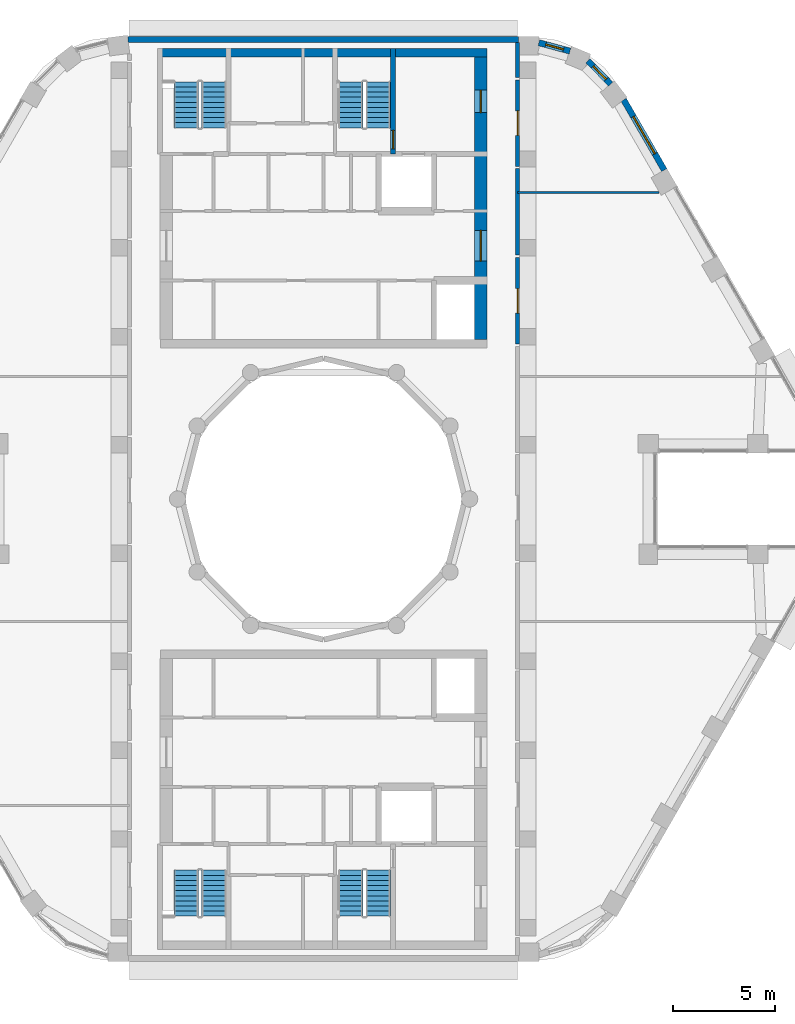
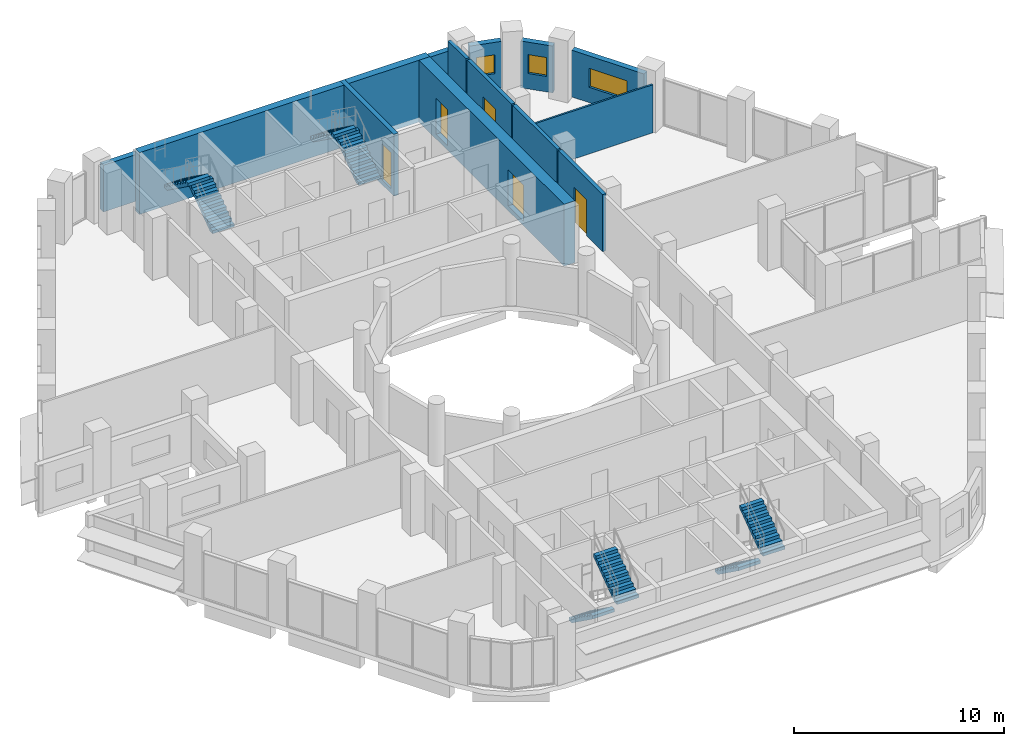
# One storey, part 13 of 16: 12 walls, 8 stair flights, 5 doors, 3 windows, 8 openings, 4 elements without a shape of their own.
"""IFC4 building model written with IfcOpenShell, lengths in metres."""

from ifc_helpers import new_model, si_unit, direction, frame, frame_2d, origin, place, context, subcontext, project, spatial, polyline, rectangle, outline, extrude, material, layer, layer_set, type_object, element, fill, aggregate, save


model = new_model("IFC4")

# Units and contexts
model_context = context("Model", 3, precision=1e-05, world=origin(), true_north=direction((0.0, 1.0)))
body_context = subcontext(model_context, "Body", "Model", "MODEL_VIEW")
ifc_project = project(units=[si_unit("LENGTHUNIT", "METRE"), si_unit("AREAUNIT", "SQUARE_METRE"), si_unit("VOLUMEUNIT", "CUBIC_METRE"), si_unit("PLANEANGLEUNIT", "RADIAN"), si_unit("MASSUNIT", "GRAM", prefix="KILO")], contexts=[model_context])

# Site, building, storey
site_placement = place(None, origin())
site = spatial("IfcSite", under=ifc_project, at=site_placement, CompositionType="ELEMENT")
building_placement = place(site_placement, origin())
building = spatial("IfcBuilding", under=site, at=building_placement, Name="Nakaniwa Court", CompositionType="ELEMENT")
storey_placement = place(building_placement, frame((0.0, 0.0, 272.39990234375)))
storey = spatial("IfcBuildingStorey", under=building, at=storey_placement, Name="C01", CompositionType="ELEMENT", Elevation=272.39990234375)

# Wall, opening, door
ifc_material_1 = material(Name="Acoustic double stud partition")
ifc_layer_1 = layer(ifc_material_1, 0.199951171875)
ifc_layer_set_1 = layer_set([ifc_layer_1], Name="Acoustic double stud partition")
wall_type_1 = type_object("IfcWallType", Name="Acoustic double stud partition 200", PredefinedType="PARTITIONING", material=ifc_layer_set_1)
wall_1_placement = place(storey_placement, frame((89.5, 91.822998046875, 0.0), z_axis=(0.0, 0.0, 1.0), x_axis=(0.0, -1.0, 0.0)))
wall_1 = element("IfcWall", 1, at=wall_1_placement, inside=storey, type_object=wall_type_1, Name="Partition PW-064", PredefinedType="PARTITIONING", context=body_context, shape_type="SweptSolid", body=[
    extrude(rectangle(XDim=4.236083984375, YDim=0.199951171875, at=frame_2d((2.1181640625, 0.0))), origin(), (0.0, 0.0, 1.0), 3.3251953125),
])
opening_1_placement = place(wall_1_placement, frame((1.51806640625, 0.0, 0.0)))
opening_1 = element("IfcOpeningElement", 2, at=opening_1_placement, cuts=wall_1, Name="Opening D-30-03", PredefinedType="OPENING", context=body_context, shape_type="SweptSolid", body=[
    extrude(rectangle(XDim=1.199951171875, YDim=2.10009765625, at=frame_2d((0.60009765625, 1.050048828125))), frame((0.0, 0.10986328125, 0.0), z_axis=(0.0, -1.0, 0.0), x_axis=(1.0, 0.0, 0.0)), (0.0, 0.0, 1.0), 0.219970703125),
])
ifc_material_2 = material(Name="Solid core timber door set, black veneer", Category="wood")
door_type_1 = type_object("IfcDoorType", Name="Internal door 1200", OperationType="NOTDEFINED", PredefinedType="DOOR", material=ifc_material_2)
door_1_placement = place(opening_1_placement, origin())
door_1 = element("IfcDoor", 3, at=door_1_placement, inside=storey, type_object=door_type_1, Name="Door D-30-03 C01-031", OperationType="SINGLE_SWING_RIGHT", OverallHeight=2.10009765625, OverallWidth=1.199951171875, PredefinedType="DOOR", context=body_context, shape_type="SweptSolid", body=[
    extrude(rectangle(XDim=1.199951171875, YDim=2.10009765625, at=frame_2d((0.60009765625, 1.050048828125))), frame((0.0, 0.02490234375, 0.0), z_axis=(0.0, -1.0, 0.0), x_axis=(1.0, 0.0, 0.0)), (0.0, 0.0, 1.0), 0.050048828125),
])
fill(opening_1, door_1)

# Wall
wall_2_placement = place(storey_placement, frame((89.5, 91.93701171875, 0.0), z_axis=(0.0, 0.0, 1.0), x_axis=(0.0, 1.0, 0.0)))
element("IfcWall", 4, at=wall_2_placement, inside=storey, type_object=wall_type_1, Name="Partition PW-065", PredefinedType="PARTITIONING", context=body_context, shape_type="SweptSolid", body=[
    extrude(rectangle(XDim=4.236083984375, YDim=0.199951171875, at=frame_2d((2.1181640625, 0.0))), origin(), (0.0, 0.0, 1.0), 3.3251953125),
])

# Wall, opening, door
wall_3_placement = place(storey_placement, frame((89.5, 100.52294921875, 0.0), z_axis=(0.0, 0.0, 1.0), x_axis=(0.0, -1.0, 0.0)))
wall_3 = element("IfcWall", 5, at=wall_3_placement, inside=storey, type_object=wall_type_1, Name="Partition PW-066", PredefinedType="PARTITIONING", context=body_context, shape_type="SweptSolid", body=[
    extrude(rectangle(XDim=4.23583984375, YDim=0.199951171875, at=frame_2d((2.117919921875, 0.0))), origin(), (0.0, 0.0, 1.0), 3.3251953125),
])
opening_2_placement = place(wall_3_placement, frame((1.51806640625, 0.0, 0.0)))
opening_2 = element("IfcOpeningElement", 6, at=opening_2_placement, cuts=wall_3, Name="Opening D-30-04", PredefinedType="OPENING", context=body_context, shape_type="SweptSolid", body=[
    extrude(rectangle(XDim=1.199951171875, YDim=2.10009765625, at=frame_2d((0.60009765625, 1.050048828125))), frame((0.0, 0.10986328125, 0.0), z_axis=(0.0, -1.0, 0.0), x_axis=(1.0, 0.0, 0.0)), (0.0, 0.0, 1.0), 0.219970703125),
])
door_2_placement = place(opening_2_placement, origin())
door_2 = element("IfcDoor", 7, at=door_2_placement, inside=storey, type_object=door_type_1, Name="Door D-30-04 C01-032", OperationType="SINGLE_SWING_LEFT", OverallHeight=2.10009765625, OverallWidth=1.199951171875, PredefinedType="DOOR", context=body_context, shape_type="SweptSolid", body=[
    extrude(rectangle(XDim=1.199951171875, YDim=2.10009765625, at=frame_2d((0.60009765625, 1.050048828125))), frame((0.0, 0.02490234375, 0.0), z_axis=(0.0, -1.0, 0.0), x_axis=(1.0, 0.0, 0.0)), (0.0, 0.0, 1.0), 0.050048828125),
])
fill(opening_2, door_2)

# Wall
wall_4_placement = place(storey_placement, frame((89.5, 100.636962890625, 0.0), z_axis=(0.0, 0.0, 1.0), x_axis=(0.0, 1.0, 0.0)))
element("IfcWall", 8, at=wall_4_placement, inside=storey, type_object=wall_type_1, Name="Partition PW-067", PredefinedType="PARTITIONING", context=body_context, shape_type="SweptSolid", body=[
    extrude(rectangle(XDim=1.713134765625, YDim=0.199951171875, at=frame_2d((0.8564453125, 0.0))), origin(), (0.0, 0.0, 1.0), 3.3251953125),
])

# Wall, opening, window
ifc_material_3 = material(Name="Charcoal ceramic cladding")
ifc_layer_2 = layer(ifc_material_3, 0.02, Name="Ceramic cladding")
ifc_material_4 = material(Name="Ventilated air cavity")
ifc_layer_3 = layer(ifc_material_4, 0.04, ventilated=True, Name="Ventilated cavity")
ifc_material_5 = material(Name="Mineral wool insulation")
ifc_layer_4 = layer(ifc_material_5, 0.1, Name="Insulation")
ifc_material_6 = material(Name="Cement bonded sheathing board")
ifc_layer_5 = layer(ifc_material_6, 0.012, Name="Sheathing")
ifc_material_7 = material(Name="Cold-formed galvanised stud frame with mineral wool infill")
ifc_layer_6 = layer(ifc_material_7, 0.1, Name="Stud frame")
ifc_material_8 = material(Name="Fire-rated gypsum plasterboard lining")
ifc_layer_7 = layer(ifc_material_8, 0.028, Name="Lining")
ifc_layer_set_2 = layer_set([ifc_layer_2, ifc_layer_3, ifc_layer_4, ifc_layer_5, ifc_layer_6, ifc_layer_7], Name="Charcoal ceramic faced external wall system")
wall_type_2 = type_object("IfcWallType", Name="Black ceramic faced external wall 300", PredefinedType="SOLIDWALL", material=ifc_layer_set_2)
wall_5_placement = place(storey_placement, frame((96.68310546875, 96.10400390625, 0.0), z_axis=(0.0, 0.0, 1.0), x_axis=(-0.500005687176, 0.866022120267, 0.0)))
wall_5 = element("IfcWall", 9, at=wall_5_placement, inside=storey, type_object=wall_type_2, Name="C01 external wall 05", PredefinedType="SOLIDWALL", context=body_context, shape_type="SweptSolid", body=[
    extrude(rectangle(XDim=3.9794921875, YDim=0.300048828125, at=frame_2d((1.98974609375, 0.0))), origin(), (0.0, 0.0, 1.0), 2.72509765625),
])
opening_3_placement = place(wall_5_placement, frame((0.928466796875, 0.0, 0.89990234375)))
opening_3 = element("IfcOpeningElement", 10, at=opening_3_placement, cuts=wall_5, Name="Opening W7.01", PredefinedType="OPENING", context=body_context, shape_type="SweptSolid", body=[
    extrude(rectangle(XDim=2.10009765625, YDim=1.10009765625, at=frame_2d((1.050048828125, 0.550048828125))), frame((0.0, 0.159912109375, 0.0), z_axis=(0.0, -1.0, 0.0), x_axis=(1.0, 0.0, 0.0)), (0.0, 0.0, 1.0), 0.320068359375),
])
ifc_material_9 = material(Name="Black anodised aluminium frame with dark low-E laminated double glazing", Category="aluminium")
window_type_1 = type_object("IfcWindowType", Name="Dark glass window 2100x1100 sill 900", PartitioningType="SINGLE_PANEL", PredefinedType="WINDOW", material=ifc_material_9)
window_1_placement = place(opening_3_placement, origin())
window_1 = element("IfcWindow", 11, at=window_1_placement, inside=storey, type_object=window_type_1, Name="C01 habitable room window 05-0", OverallHeight=1.10009765625, OverallWidth=2.10009765625, PartitioningType="SINGLE_PANEL", PredefinedType="WINDOW", context=body_context, shape_type="SweptSolid", body=[
    extrude(rectangle(XDim=2.10009765625, YDim=1.10009765625, at=frame_2d((1.050048828125, 0.550048828125))), frame((0.0, 0.030029296875, 0.0), z_axis=(0.0, -1.0, 0.0), x_axis=(1.0, 0.0, 0.0)), (0.0, 0.0, 1.0), 0.06005859375),
])
fill(opening_3, window_1)

wall_6_placement = place(storey_placement, frame((94.059814453125, 100.314697265625, 0.0), z_axis=(0.0, 0.0, 1.0), x_axis=(-0.6992720923, 0.714855608449, 0.0)))
wall_6 = element("IfcWall", 12, at=wall_6_placement, inside=storey, type_object=wall_type_2, Name="C01 external wall 06", PredefinedType="SOLIDWALL", context=body_context, shape_type="SweptSolid", body=[
    extrude(rectangle(XDim=1.597900390625, YDim=0.300048828125, at=frame_2d((0.798828125, 0.0))), origin(), (0.0, 0.0, 1.0), 2.72509765625),
])
opening_4_placement = place(wall_6_placement, frame((0.32470703125, 0.0, 0.89990234375)))
opening_4 = element("IfcOpeningElement", 13, at=opening_4_placement, cuts=wall_6, Name="Opening W9.02", PredefinedType="OPENING", context=body_context, shape_type="SweptSolid", body=[
    extrude(rectangle(XDim=0.89990234375, YDim=1.10009765625, at=frame_2d((0.449951171875, 0.550048828125))), frame((0.0, 0.159912109375, 0.0), z_axis=(0.0, -1.0, 0.0), x_axis=(1.0, 0.0, 0.0)), (0.0, 0.0, 1.0), 0.320068359375),
])
window_type_2 = type_object("IfcWindowType", Name="Dark glass window 900x1100 sill 900", PartitioningType="SINGLE_PANEL", PredefinedType="WINDOW", material=ifc_material_9)
window_2_placement = place(opening_4_placement, origin())
window_2 = element("IfcWindow", 14, at=window_2_placement, inside=storey, type_object=window_type_2, Name="C01 habitable room window 06-0", OverallHeight=1.10009765625, OverallWidth=0.89990234375, PartitioningType="SINGLE_PANEL", PredefinedType="WINDOW", context=body_context, shape_type="SweptSolid", body=[
    extrude(rectangle(XDim=0.89990234375, YDim=1.10009765625, at=frame_2d((0.449951171875, 0.550048828125))), frame((0.0, 0.030029296875, 0.0), z_axis=(0.0, -1.0, 0.0), x_axis=(1.0, 0.0, 0.0)), (0.0, 0.0, 1.0), 0.06005859375),
])
fill(opening_4, window_2)

wall_7_placement = place(storey_placement, frame((92.064697265625, 101.930908203125, 0.0), z_axis=(0.0, 0.0, 1.0), x_axis=(-0.965371819036, 0.260877846914, 0.0)))
wall_7 = element("IfcWall", 15, at=wall_7_placement, inside=storey, type_object=wall_type_2, Name="C01 external wall 07", PredefinedType="SOLIDWALL", context=body_context, shape_type="SweptSolid", body=[
    extrude(rectangle(XDim=1.577880859375, YDim=0.300048828125, at=frame_2d((0.7890625, 0.0))), origin(), (0.0, 0.0, 1.0), 2.72509765625),
])
opening_5_placement = place(wall_7_placement, frame((0.32861328125, 0.0, 0.89990234375)))
opening_5 = element("IfcOpeningElement", 16, at=opening_5_placement, cuts=wall_7, Name="Opening W9.03", PredefinedType="OPENING", context=body_context, shape_type="SweptSolid", body=[
    extrude(rectangle(XDim=0.89990234375, YDim=1.10009765625, at=frame_2d((0.449951171875, 0.550048828125))), frame((0.0, 0.159912109375, 0.0), z_axis=(0.0, -1.0, 0.0), x_axis=(1.0, 0.0, 0.0)), (0.0, 0.0, 1.0), 0.320068359375),
])
window_3_placement = place(opening_5_placement, origin())
window_3 = element("IfcWindow", 17, at=window_3_placement, inside=storey, type_object=window_type_2, Name="C01 habitable room window 07-0", OverallHeight=1.10009765625, OverallWidth=0.89990234375, PartitioningType="SINGLE_PANEL", PredefinedType="WINDOW", context=body_context, shape_type="SweptSolid", body=[
    extrude(rectangle(XDim=0.89990234375, YDim=1.10009765625, at=frame_2d((0.449951171875, 0.550048828125))), frame((0.0, 0.030029296875, 0.0), z_axis=(0.0, -1.0, 0.0), x_axis=(1.0, 0.0, 0.0)), (0.0, 0.0, 1.0), 0.06005859375),
])
fill(opening_5, window_3)

# Wall
wall_8_placement = place(storey_placement, frame((89.54931640625, 102.5, 0.0), z_axis=(0.0, 0.0, 1.0), x_axis=(-1.0, 0.0, 0.0)))
element("IfcWall", 18, at=wall_8_placement, inside=storey, type_object=wall_type_2, Name="C01 external wall 08", PredefinedType="SOLIDWALL", context=body_context, shape_type="SweptSolid", body=[
    extrude(rectangle(XDim=19.1337890625, YDim=0.300048828125, at=frame_2d((9.56689453125, 0.0))), origin(), (0.0, 0.0, 1.0), 2.72509765625),
])

# Wall, openings, doors
ifc_material_10 = material(Name="Concrete C80/100", Category="concrete")
ifc_layer_8 = layer(ifc_material_10, 0.60009765625)
ifc_layer_set_3 = layer_set([ifc_layer_8], Name="Concrete C80/100")
wall_type_3 = type_object("IfcWallType", Name="Concrete core side wall 600 C80", PredefinedType="SHEAR", material=ifc_layer_set_3)
wall_9_placement = place(storey_placement, frame((87.699951171875, 102.050048828125, -0.27490234375), z_axis=(0.0, 0.0, 1.0), x_axis=(0.0, -1.0, 0.0)))
wall_9 = element("IfcWall", 19, at=wall_9_placement, inside=storey, type_object=wall_type_3, Name="Core wall SW-08", PredefinedType="SHEAR", context=body_context, shape_type="SweptSolid", body=[
    extrude(rectangle(XDim=14.25, YDim=0.60009765625, at=frame_2d((7.125, 0.0))), origin(), (0.0, 0.0, 1.0), 3.60009765625),
])
opening_6_placement = place(wall_9_placement, frame((8.89990234375, 0.0, 0.27490234375)))
opening_6 = element("IfcOpeningElement", 20, at=opening_6_placement, cuts=wall_9, Name="Opening D-07-01", PredefinedType="OPENING", context=body_context, shape_type="SweptSolid", body=[
    extrude(rectangle(XDim=1.5, YDim=2.10009765625, at=frame_2d((0.75, 1.050048828125))), frame((0.0, 0.31005859375, 0.0), z_axis=(0.0, -1.0, 0.0), x_axis=(1.0, 0.0, 0.0)), (0.0, 0.0, 1.0), 0.6201171875),
])
opening_7_placement = place(wall_9_placement, frame((2.02490234375, 0.0, 0.27490234375)))
opening_7 = element("IfcOpeningElement", 21, at=opening_7_placement, cuts=wall_9, Name="Opening D-10-01", PredefinedType="OPENING", context=body_context, shape_type="SweptSolid", body=[
    extrude(rectangle(XDim=1.10009765625, YDim=2.10009765625, at=frame_2d((0.550048828125, 1.050048828125))), frame((0.0, 0.31005859375, 0.0), z_axis=(0.0, -1.0, 0.0), x_axis=(1.0, 0.0, 0.0)), (0.0, 0.0, 1.0), 0.6201171875),
])
ifc_material_11 = material(Name="Fire rated steel door set", Category="steel")
door_type_2 = type_object("IfcDoorType", Name="Firefighting lobby door 1100", OperationType="NOTDEFINED", PredefinedType="DOOR", material=ifc_material_11)
door_3_placement = place(opening_7_placement, origin())
door_3 = element("IfcDoor", 22, at=door_3_placement, inside=storey, type_object=door_type_2, Name="Door D-10-01 C01-039", OperationType="SINGLE_SWING_RIGHT", OverallHeight=2.10009765625, OverallWidth=1.10009765625, PredefinedType="DOOR", context=body_context, shape_type="SweptSolid", body=[
    extrude(rectangle(XDim=1.10009765625, YDim=2.10009765625, at=frame_2d((0.550048828125, 1.050048828125))), frame((0.0, 0.02490234375, 0.0), z_axis=(0.0, -1.0, 0.0), x_axis=(1.0, 0.0, 0.0)), (0.0, 0.0, 1.0), 0.050048828125),
])
fill(opening_7, door_3)
ifc_material_12 = material(Name="Glazed fire rated steel double door set", Category="steel")
door_type_3 = type_object("IfcDoorType", Name="Lobby double door 1500", OperationType="NOTDEFINED", PredefinedType="DOOR", material=ifc_material_12)
door_4_placement = place(opening_6_placement, origin())
door_4 = element("IfcDoor", 23, at=door_4_placement, inside=storey, type_object=door_type_3, Name="Door D-07-01 C01-037", OperationType="DOUBLE_DOOR_SINGLE_SWING", OverallHeight=2.10009765625, OverallWidth=1.5, PredefinedType="DOOR", context=body_context, shape_type="SweptSolid", body=[
    extrude(rectangle(XDim=1.5, YDim=2.10009765625, at=frame_2d((0.75, 1.050048828125))), frame((0.0, 0.02490234375, 0.0), z_axis=(0.0, -1.0, 0.0), x_axis=(1.0, 0.0, 0.0)), (0.0, 0.0, 1.0), 0.050048828125),
])
fill(opening_6, door_4)

# Wall
ifc_layer_9 = layer(ifc_material_10, 0.39990234375)
ifc_layer_set_4 = layer_set([ifc_layer_9], Name="Concrete C80/100")
wall_type_4 = type_object("IfcWallType", Name="Concrete core wall 400 C80", PredefinedType="SHEAR", material=ifc_layer_set_4)
wall_10_placement = place(storey_placement, frame((72.00390625, 101.85009765625, -0.27490234375), z_axis=(0.0, 0.0, 1.0), x_axis=(1.0, 0.0, 0.0)))
element("IfcWall", 24, at=wall_10_placement, inside=storey, type_object=wall_type_4, Name="Core wall SW-86", PredefinedType="SHEAR", context=body_context, shape_type="SweptSolid", body=[
    extrude(rectangle(XDim=15.9921875, YDim=0.39990234375, at=frame_2d((7.99609375, 0.0))), origin(), (0.0, 0.0, 1.0), 3.60009765625),
])

# Wall, opening, door
ifc_layer_10 = layer(ifc_material_10, 0.25)
ifc_layer_set_5 = layer_set([ifc_layer_10], Name="Concrete C80/100")
wall_type_5 = type_object("IfcWallType", Name="Concrete shaft wall 250 C80", PredefinedType="SHEAR", material=ifc_layer_set_5)
wall_11_placement = place(storey_placement, frame((83.39990234375, 102.050048828125, -0.27490234375), z_axis=(0.0, 0.0, 1.0), x_axis=(0.0, -1.0, 0.0)))
wall_11 = element("IfcWall", 25, at=wall_11_placement, inside=storey, type_object=wall_type_5, Name="Core wall SW-24", PredefinedType="SHEAR", context=body_context, shape_type="SweptSolid", body=[
    extrude(rectangle(XDim=5.150146484375, YDim=0.25, at=frame_2d((2.5751953125, 0.0))), origin(), (0.0, 0.0, 1.0), 3.60009765625),
])
opening_8_placement = place(wall_11_placement, frame((4.0, 0.0, 0.27490234375)))
opening_8 = element("IfcOpeningElement", 26, at=opening_8_placement, cuts=wall_11, Name="Opening D-11-01", PredefinedType="OPENING", context=body_context, shape_type="SweptSolid", body=[
    extrude(rectangle(XDim=0.89990234375, YDim=2.10009765625, at=frame_2d((0.449951171875, 1.050048828125))), frame((0.0, 0.135009765625, 0.0), z_axis=(0.0, -1.0, 0.0), x_axis=(1.0, 0.0, 0.0)), (0.0, 0.0, 1.0), 0.27001953125),
])
door_type_4 = type_object("IfcDoorType", Name="Stair door 900", OperationType="NOTDEFINED", PredefinedType="DOOR", material=ifc_material_11)
door_5_placement = place(opening_8_placement, origin())
door_5 = element("IfcDoor", 27, at=door_5_placement, inside=storey, type_object=door_type_4, Name="Door D-11-01 C01-014", OperationType="SINGLE_SWING_RIGHT", OverallHeight=2.10009765625, OverallWidth=0.89990234375, PredefinedType="DOOR", context=body_context, shape_type="SweptSolid", body=[
    extrude(rectangle(XDim=0.89990234375, YDim=2.10009765625, at=frame_2d((0.449951171875, 1.050048828125))), frame((0.0, 0.02490234375, 0.0), z_axis=(0.0, -1.0, 0.0), x_axis=(1.0, 0.0, 0.0)), (0.0, 0.0, 1.0), 0.050048828125),
])
fill(opening_8, door_5)

# Wall
ifc_material_13 = material(Name="Single stud plasterboard partition")
ifc_layer_11 = layer(ifc_material_13, 0.10009765625)
ifc_layer_set_6 = layer_set([ifc_layer_11], Name="Single stud plasterboard partition")
wall_type_6 = type_object("IfcWallType", Name="Single stud plasterboard partition 100", PredefinedType="PARTITIONING", material=ifc_layer_set_6)
wall_12_placement = place(storey_placement, frame((89.5, 95.0, 0.0), z_axis=(0.0, 0.0, 1.0), x_axis=(1.0, 0.0, 0.0)))
element("IfcWall", 28, at=wall_12_placement, inside=storey, type_object=wall_type_6, Name="Partition PW-072", PredefinedType="PARTITIONING", context=body_context, shape_type="SweptSolid", body=[
    extrude(rectangle(XDim=6.931396484375, YDim=0.10009765625, at=frame_2d((3.4658203125, 0.0))), origin(), (0.0, 0.0, 1.0), 2.80517578125),
])

# Stair, stair flights
stair_type = type_object("IfcStairType", Name="Dog leg stair 1200 wide 20 risers", PredefinedType="HALF_TURN_STAIR", material=ifc_material_10)
stair_1_placement = place(storey_placement, origin())
stair_1 = element("IfcStair", 29, at=stair_1_placement, inside=storey, type_object=stair_type, Name="C01 Stair ST1", PredefinedType="HALF_TURN_STAIR")
stair_flight_type = type_object("IfcStairFlightType", Name="Stair flight 1200 wide 10 risers", PredefinedType="STRAIGHT", material=ifc_material_10)
stair_flight_1_placement = place(storey_placement, frame((74.625, 98.175048828125, 0.0), z_axis=(0.0, 0.0, 1.0), x_axis=(0.0, 1.0, 0.0)))
stair_flight_1 = element("IfcStairFlight", 30, at=stair_flight_1_placement, type_object=stair_flight_type, Name="ST1 flight 1", NumberOfRisers=10, NumberOfTreads=9, PredefinedType="STRAIGHT", RiserHeight=0.18, TreadLength=0.25, context=body_context, shape_type="SweptSolid", body=[
    extrude(outline(polyline([(0.0, 0.0), (0.0, 0.025634765625), (0.0, 0.051513671875), (0.0, 0.0771484375), (0.0, 0.102783203125), (0.0, 0.128662109375), (0.0, 0.154296875), (0.0, 0.179931640625), (0.25, 0.179931640625), (0.25, 0.360107421875), (0.5, 0.360107421875), (0.5, 0.5400390625), (0.75, 0.5400390625), (0.75, 0.719970703125), (1.0, 0.719970703125), (1.0, 0.89990234375), (1.25, 0.89990234375), (1.25, 1.080078125), (1.5, 1.080078125), (1.5, 1.260009765625), (1.75, 1.260009765625), (1.75, 1.43994140625), (2.0, 1.43994140625), (2.0, 1.6201171875), (2.25, 1.6201171875), (2.25, 1.800048828125), (2.25, 1.747802734375), (2.25, 1.69580078125), (2.25, 1.643798828125), (2.25, 1.591552734375), (2.25, 1.53955078125), (2.25, 1.4873046875), (2.25, 1.435302734375), (0.256591796875, 0.0), (0.0, 0.0)])), frame((0.0, 0.60009765625, 0.0), z_axis=(0.0, -1.0, 0.0), x_axis=(1.0, 0.0, 0.0)), (0.0, 0.0, 1.0), 1.199951171875),
])
stair_flight_2_placement = place(storey_placement, frame((73.27490234375, 100.425048828125, 1.800048828125), z_axis=(0.0, 0.0, 1.0), x_axis=(0.0, -1.0, 0.0)))
stair_flight_2 = element("IfcStairFlight", 31, at=stair_flight_2_placement, type_object=stair_flight_type, Name="ST1 flight 2", NumberOfRisers=10, NumberOfTreads=9, PredefinedType="STRAIGHT", RiserHeight=0.18, TreadLength=0.25, context=body_context, shape_type="SweptSolid", body=[
    extrude(outline(polyline([(0.0, 0.0), (0.0, 0.025634765625), (0.0, 0.051513671875), (0.0, 0.0771484375), (0.0, 0.102783203125), (0.0, 0.128662109375), (0.0, 0.154296875), (0.0, 0.179931640625), (0.25, 0.179931640625), (0.25, 0.360107421875), (0.5, 0.360107421875), (0.5, 0.5400390625), (0.75, 0.5400390625), (0.75, 0.719970703125), (1.0, 0.719970703125), (1.0, 0.89990234375), (1.25, 0.89990234375), (1.25, 1.080078125), (1.5, 1.080078125), (1.5, 1.260009765625), (1.75, 1.260009765625), (1.75, 1.43994140625), (2.0, 1.43994140625), (2.0, 1.6201171875), (2.25, 1.6201171875), (2.25, 1.800048828125), (2.25, 1.747802734375), (2.25, 1.69580078125), (2.25, 1.643798828125), (2.25, 1.591552734375), (2.25, 1.53955078125), (2.25, 1.4873046875), (2.25, 1.435302734375), (0.256591796875, 0.0), (0.0, 0.0)])), frame((0.0, 0.60009765625, 0.0), z_axis=(0.0, -1.0, 0.0), x_axis=(1.0, 0.0, 0.0)), (0.0, 0.0, 1.0), 1.199951171875),
])
aggregate(stair_1, [stair_flight_1, stair_flight_2])

stair_2_placement = place(storey_placement, origin())
stair_2 = element("IfcStair", 32, at=stair_2_placement, inside=storey, type_object=stair_type, Name="C01 Stair ST2", PredefinedType="HALF_TURN_STAIR")
stair_flight_3_placement = place(storey_placement, frame((82.675048828125, 98.175048828125, 0.0), z_axis=(0.0, 0.0, 1.0), x_axis=(0.0, 1.0, 0.0)))
stair_flight_3 = element("IfcStairFlight", 33, at=stair_flight_3_placement, type_object=stair_flight_type, Name="ST2 flight 1", NumberOfRisers=10, NumberOfTreads=9, PredefinedType="STRAIGHT", RiserHeight=0.18, TreadLength=0.25, context=body_context, shape_type="SweptSolid", body=[
    extrude(outline(polyline([(0.0, 0.0), (0.0, 0.025634765625), (0.0, 0.051513671875), (0.0, 0.0771484375), (0.0, 0.102783203125), (0.0, 0.128662109375), (0.0, 0.154296875), (0.0, 0.179931640625), (0.25, 0.179931640625), (0.25, 0.360107421875), (0.5, 0.360107421875), (0.5, 0.5400390625), (0.75, 0.5400390625), (0.75, 0.719970703125), (1.0, 0.719970703125), (1.0, 0.89990234375), (1.25, 0.89990234375), (1.25, 1.080078125), (1.5, 1.080078125), (1.5, 1.260009765625), (1.75, 1.260009765625), (1.75, 1.43994140625), (2.0, 1.43994140625), (2.0, 1.6201171875), (2.25, 1.6201171875), (2.25, 1.800048828125), (2.25, 1.747802734375), (2.25, 1.69580078125), (2.25, 1.643798828125), (2.25, 1.591552734375), (2.25, 1.53955078125), (2.25, 1.4873046875), (2.25, 1.435302734375), (0.256591796875, 0.0), (0.0, 0.0)])), frame((0.0, 0.60009765625, 0.0), z_axis=(0.0, -1.0, 0.0), x_axis=(1.0, 0.0, 0.0)), (0.0, 0.0, 1.0), 1.199951171875),
])
stair_flight_4_placement = place(storey_placement, frame((81.324951171875, 100.425048828125, 1.800048828125), z_axis=(0.0, 0.0, 1.0), x_axis=(0.0, -1.0, 0.0)))
stair_flight_4 = element("IfcStairFlight", 34, at=stair_flight_4_placement, type_object=stair_flight_type, Name="ST2 flight 2", NumberOfRisers=10, NumberOfTreads=9, PredefinedType="STRAIGHT", RiserHeight=0.18, TreadLength=0.25, context=body_context, shape_type="SweptSolid", body=[
    extrude(outline(polyline([(0.0, 0.0), (0.0, 0.025634765625), (0.0, 0.051513671875), (0.0, 0.0771484375), (0.0, 0.102783203125), (0.0, 0.128662109375), (0.0, 0.154296875), (0.0, 0.179931640625), (0.25, 0.179931640625), (0.25, 0.360107421875), (0.5, 0.360107421875), (0.5, 0.5400390625), (0.75, 0.5400390625), (0.75, 0.719970703125), (1.0, 0.719970703125), (1.0, 0.89990234375), (1.25, 0.89990234375), (1.25, 1.080078125), (1.5, 1.080078125), (1.5, 1.260009765625), (1.75, 1.260009765625), (1.75, 1.43994140625), (2.0, 1.43994140625), (2.0, 1.6201171875), (2.25, 1.6201171875), (2.25, 1.800048828125), (2.25, 1.747802734375), (2.25, 1.69580078125), (2.25, 1.643798828125), (2.25, 1.591552734375), (2.25, 1.53955078125), (2.25, 1.4873046875), (2.25, 1.435302734375), (0.256591796875, 0.0), (0.0, 0.0)])), frame((0.0, 0.60009765625, 0.0), z_axis=(0.0, -1.0, 0.0), x_axis=(1.0, 0.0, 0.0)), (0.0, 0.0, 1.0), 1.199951171875),
])
aggregate(stair_2, [stair_flight_3, stair_flight_4])

stair_3_placement = place(storey_placement, origin())
stair_3 = element("IfcStair", 35, at=stair_3_placement, inside=storey, type_object=stair_type, Name="C01 Stair ST3", PredefinedType="HALF_TURN_STAIR")
stair_flight_5_placement = place(storey_placement, frame((73.27490234375, 61.824951171875, 0.0), z_axis=(0.0, 0.0, 1.0), x_axis=(0.0, -1.0, 0.0)))
stair_flight_5 = element("IfcStairFlight", 36, at=stair_flight_5_placement, type_object=stair_flight_type, Name="ST3 flight 1", NumberOfRisers=10, NumberOfTreads=9, PredefinedType="STRAIGHT", RiserHeight=0.18, TreadLength=0.25, context=body_context, shape_type="SweptSolid", body=[
    extrude(outline(polyline([(0.0, 0.0), (0.0, 0.025634765625), (0.0, 0.051513671875), (0.0, 0.0771484375), (0.0, 0.102783203125), (0.0, 0.128662109375), (0.0, 0.154296875), (0.0, 0.179931640625), (0.25, 0.179931640625), (0.25, 0.360107421875), (0.5, 0.360107421875), (0.5, 0.5400390625), (0.75, 0.5400390625), (0.75, 0.719970703125), (1.0, 0.719970703125), (1.0, 0.89990234375), (1.25, 0.89990234375), (1.25, 1.080078125), (1.5, 1.080078125), (1.5, 1.260009765625), (1.75, 1.260009765625), (1.75, 1.43994140625), (2.0, 1.43994140625), (2.0, 1.6201171875), (2.25, 1.6201171875), (2.25, 1.800048828125), (2.25, 1.747802734375), (2.25, 1.69580078125), (2.25, 1.643798828125), (2.25, 1.591552734375), (2.25, 1.53955078125), (2.25, 1.4873046875), (2.25, 1.435302734375), (0.256591796875, 0.0), (0.0, 0.0)])), frame((0.0, 0.60009765625, 0.0), z_axis=(0.0, -1.0, 0.0), x_axis=(1.0, 0.0, 0.0)), (0.0, 0.0, 1.0), 1.199951171875),
])
stair_flight_6_placement = place(storey_placement, frame((74.625, 59.574951171875, 1.800048828125), z_axis=(0.0, 0.0, 1.0), x_axis=(0.0, 1.0, 0.0)))
stair_flight_6 = element("IfcStairFlight", 37, at=stair_flight_6_placement, type_object=stair_flight_type, Name="ST3 flight 2", NumberOfRisers=10, NumberOfTreads=9, PredefinedType="STRAIGHT", RiserHeight=0.18, TreadLength=0.25, context=body_context, shape_type="SweptSolid", body=[
    extrude(outline(polyline([(0.0, 0.0), (0.0, 0.025634765625), (0.0, 0.051513671875), (0.0, 0.0771484375), (0.0, 0.102783203125), (0.0, 0.128662109375), (0.0, 0.154296875), (0.0, 0.179931640625), (0.25, 0.179931640625), (0.25, 0.360107421875), (0.5, 0.360107421875), (0.5, 0.5400390625), (0.75, 0.5400390625), (0.75, 0.719970703125), (1.0, 0.719970703125), (1.0, 0.89990234375), (1.25, 0.89990234375), (1.25, 1.080078125), (1.5, 1.080078125), (1.5, 1.260009765625), (1.75, 1.260009765625), (1.75, 1.43994140625), (2.0, 1.43994140625), (2.0, 1.6201171875), (2.25, 1.6201171875), (2.25, 1.800048828125), (2.25, 1.747802734375), (2.25, 1.69580078125), (2.25, 1.643798828125), (2.25, 1.591552734375), (2.25, 1.53955078125), (2.25, 1.4873046875), (2.25, 1.435302734375), (0.256591796875, 0.0), (0.0, 0.0)])), frame((0.0, 0.60009765625, 0.0), z_axis=(0.0, -1.0, 0.0), x_axis=(1.0, 0.0, 0.0)), (0.0, 0.0, 1.0), 1.199951171875),
])
aggregate(stair_3, [stair_flight_5, stair_flight_6])

stair_4_placement = place(storey_placement, origin())
stair_4 = element("IfcStair", 38, at=stair_4_placement, inside=storey, type_object=stair_type, Name="C01 Stair ST4", PredefinedType="HALF_TURN_STAIR")
stair_flight_7_placement = place(storey_placement, frame((81.324951171875, 61.824951171875, 0.0), z_axis=(0.0, 0.0, 1.0), x_axis=(0.0, -1.0, 0.0)))
stair_flight_7 = element("IfcStairFlight", 39, at=stair_flight_7_placement, type_object=stair_flight_type, Name="ST4 flight 1", NumberOfRisers=10, NumberOfTreads=9, PredefinedType="STRAIGHT", RiserHeight=0.18, TreadLength=0.25, context=body_context, shape_type="SweptSolid", body=[
    extrude(outline(polyline([(0.0, 0.0), (0.0, 0.025634765625), (0.0, 0.051513671875), (0.0, 0.0771484375), (0.0, 0.102783203125), (0.0, 0.128662109375), (0.0, 0.154296875), (0.0, 0.179931640625), (0.25, 0.179931640625), (0.25, 0.360107421875), (0.5, 0.360107421875), (0.5, 0.5400390625), (0.75, 0.5400390625), (0.75, 0.719970703125), (1.0, 0.719970703125), (1.0, 0.89990234375), (1.25, 0.89990234375), (1.25, 1.080078125), (1.5, 1.080078125), (1.5, 1.260009765625), (1.75, 1.260009765625), (1.75, 1.43994140625), (2.0, 1.43994140625), (2.0, 1.6201171875), (2.25, 1.6201171875), (2.25, 1.800048828125), (2.25, 1.747802734375), (2.25, 1.69580078125), (2.25, 1.643798828125), (2.25, 1.591552734375), (2.25, 1.53955078125), (2.25, 1.4873046875), (2.25, 1.435302734375), (0.256591796875, 0.0), (0.0, 0.0)])), frame((0.0, 0.60009765625, 0.0), z_axis=(0.0, -1.0, 0.0), x_axis=(1.0, 0.0, 0.0)), (0.0, 0.0, 1.0), 1.199951171875),
])
stair_flight_8_placement = place(storey_placement, frame((82.675048828125, 59.574951171875, 1.800048828125), z_axis=(0.0, 0.0, 1.0), x_axis=(0.0, 1.0, 0.0)))
stair_flight_8 = element("IfcStairFlight", 40, at=stair_flight_8_placement, type_object=stair_flight_type, Name="ST4 flight 2", NumberOfRisers=10, NumberOfTreads=9, PredefinedType="STRAIGHT", RiserHeight=0.18, TreadLength=0.25, context=body_context, shape_type="SweptSolid", body=[
    extrude(outline(polyline([(0.0, 0.0), (0.0, 0.025634765625), (0.0, 0.051513671875), (0.0, 0.0771484375), (0.0, 0.102783203125), (0.0, 0.128662109375), (0.0, 0.154296875), (0.0, 0.179931640625), (0.25, 0.179931640625), (0.25, 0.360107421875), (0.5, 0.360107421875), (0.5, 0.5400390625), (0.75, 0.5400390625), (0.75, 0.719970703125), (1.0, 0.719970703125), (1.0, 0.89990234375), (1.25, 0.89990234375), (1.25, 1.080078125), (1.5, 1.080078125), (1.5, 1.260009765625), (1.75, 1.260009765625), (1.75, 1.43994140625), (2.0, 1.43994140625), (2.0, 1.6201171875), (2.25, 1.6201171875), (2.25, 1.800048828125), (2.25, 1.747802734375), (2.25, 1.69580078125), (2.25, 1.643798828125), (2.25, 1.591552734375), (2.25, 1.53955078125), (2.25, 1.4873046875), (2.25, 1.435302734375), (0.256591796875, 0.0), (0.0, 0.0)])), frame((0.0, 0.60009765625, 0.0), z_axis=(0.0, -1.0, 0.0), x_axis=(1.0, 0.0, 0.0)), (0.0, 0.0, 1.0), 1.199951171875),
])
aggregate(stair_4, [stair_flight_7, stair_flight_8])

save(model, "model.ifc")
